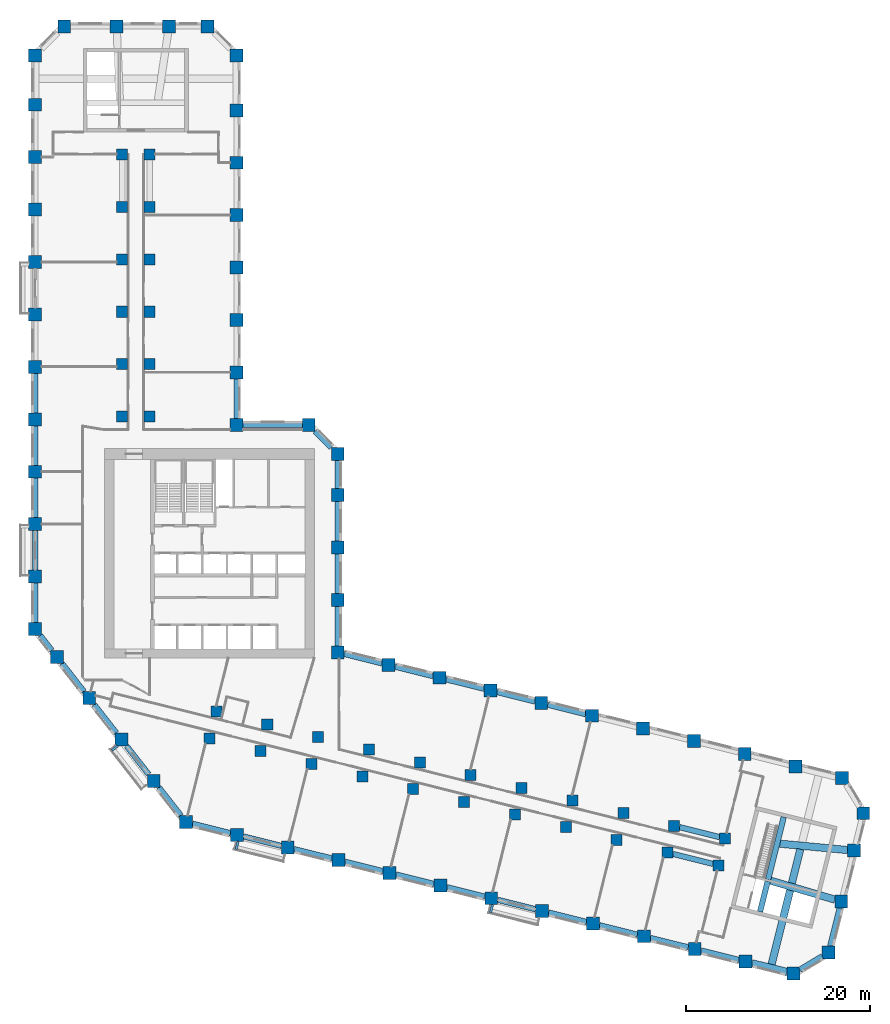
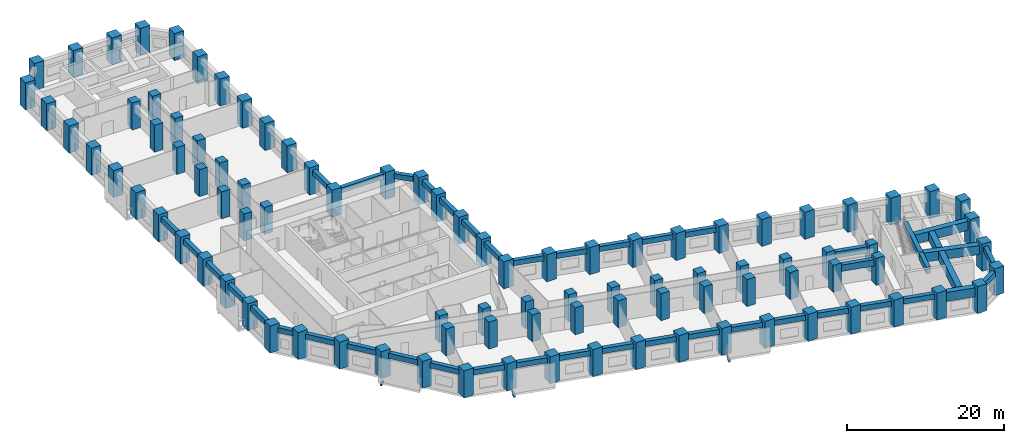
# One storey, part 1 of 12: 95 columns, 47 beams.
"""IFC4 building model written with IfcOpenShell, lengths in metres."""

from ifc_helpers import new_model, si_unit, direction, frame, origin, origin_2d, place, context, subcontext, project, spatial, rectangle, extrude, material, material_profile, profile_set, type_object, element, save


model = new_model("IFC4")

# Units and contexts
model_context = context("Model", 3, precision=1e-05, world=origin(), true_north=direction((0.0, 1.0)))
body_context = subcontext(model_context, "Body", "Model", "MODEL_VIEW")
ifc_project = project(units=[si_unit("LENGTHUNIT", "METRE"), si_unit("AREAUNIT", "SQUARE_METRE"), si_unit("VOLUMEUNIT", "CUBIC_METRE"), si_unit("PLANEANGLEUNIT", "RADIAN"), si_unit("MASSUNIT", "GRAM", prefix="KILO")], contexts=[model_context])

# Site, building, storey
site_placement = place(None, origin())
site = spatial("IfcSite", under=ifc_project, at=site_placement, CompositionType="ELEMENT")
building_placement = place(site_placement, origin())
building = spatial("IfcBuilding", under=site, at=building_placement, Name="Meshkara Civic Tower", CompositionType="ELEMENT")
storey_placement = place(building_placement, frame((0.0, 0.0, 87.60009765625)))
storey = spatial("IfcBuildingStorey", under=building, at=storey_placement, Name="L19", CompositionType="ELEMENT", Elevation=87.60009765625)

# Columns
ifc_material_1 = material(Name="Concrete C80", Category="concrete")
ifc_material_profile_1 = material_profile(ifc_material_1, rectangle(XDim=1.199951171875, YDim=1.199951171875, at=origin_2d()))
ifc_profile_set_1 = profile_set([ifc_material_profile_1], Name="Concrete C80")
column_type_1 = type_object("IfcColumnType", Name="Interior column RC 1200x1200 C80", PredefinedType="COLUMN", material=ifc_profile_set_1)
for number, where, z_axis, x_axis, name in (
    (1, (9.89990234375, 40.35009765625, 0.0), (0.0, 0.0, 1.0), (1.0, 0.0, 0.0), "Column SA1-04 L19"),
    (2, (9.89990234375, 46.050048828125, 0.0), (0.0, 0.0, 1.0), (1.0, 0.0, 0.0), "Column SA1-05 L19"),
    (3, (9.89990234375, 51.75, 0.0), (0.0, 0.0, 1.0), (1.0, 0.0, 0.0), "Column SA1-06 L19"),
    (4, (9.89990234375, 57.449951171875, 0.0), (0.0, 0.0, 1.0), (1.0, 0.0, 0.0), "Column SA1-07 L19"),
    (5, (9.89990234375, 63.14990234375, 0.0), (0.0, 0.0, 1.0), (1.0, 0.0, 0.0), "Column SA1-08 L19"),
    (6, (9.89990234375, 68.85009765625, 0.0), (0.0, 0.0, 1.0), (1.0, 0.0, 0.0), "Column SA1-09 L19"),
    (7, (12.89990234375, 40.35009765625, 0.0), (0.0, 0.0, 1.0), (1.0, 0.0, 0.0), "Column SA2-04 L19"),
    (8, (12.89990234375, 46.050048828125, 0.0), (0.0, 0.0, 1.0), (1.0, 0.0, 0.0), "Column SA2-05 L19"),
    (9, (12.89990234375, 51.75, 0.0), (0.0, 0.0, 1.0), (1.0, 0.0, 0.0), "Column SA2-06 L19"),
    (10, (12.89990234375, 57.449951171875, 0.0), (0.0, 0.0, 1.0), (1.0, 0.0, 0.0), "Column SA2-07 L19"),
    (11, (12.89990234375, 63.14990234375, 0.0), (0.0, 0.0, 1.0), (1.0, 0.0, 0.0), "Column SA2-08 L19"),
    (12, (12.89990234375, 68.85009765625, 0.0), (0.0, 0.0, 1.0), (1.0, 0.0, 0.0), "Column SA2-09 L19"),
    (13, (19.424072265625, 5.360107421875, 0.0), (0.0, 0.0, 1.0), (1.0, 0.0, 0.0), "Column SB1-00 L19"),
    (14, (24.9541015625, 3.98095703125, 0.0), (0.0, 0.0, 1.0), (1.0, 0.0, 0.0), "Column SB1-01 L19"),
    (15, (30.485107421875, 2.60205078125, 0.0), (0.0, 0.0, 1.0), (1.0, 0.0, 0.0), "Column SB1-02 L19"),
    (16, (36.01611328125, 1.222900390625, 0.0), (0.0, 0.0, 1.0), (1.0, 0.0, 0.0), "Column SB1-03 L19"),
    (17, (41.5458984375, -0.156005859375, 0.0), (0.0, 0.0, 1.0), (1.0, 0.0, 0.0), "Column SB1-04 L19"),
    (18, (47.076904296875, -1.534912109375, 0.0), (0.0, 0.0, 1.0), (1.0, 0.0, 0.0), "Column SB1-05 L19"),
    (19, (52.60791015625, -2.9140625, 0.0), (0.0, 0.0, 1.0), (1.0, 0.0, 0.0), "Column SB1-06 L19"),
    (20, (58.138916015625, -4.2919921875, 0.0), (0.0, 0.0, 1.0), (1.0, 0.0, 0.0), "Column SB1-07 L19"),
    (21, (63.6689453125, -5.6708984375, 0.0), (0.0, 0.0, 1.0), (1.0, 0.0, 0.0), "Column SB1-08 L19"),
    (22, (69.199951171875, -7.050048828125, 0.0), (0.0, 0.0, 1.0), (1.0, 0.0, 0.0), "Column SB1-09 L19"),
    (23, (74.73095703125, -8.428955078125, 0.0), (0.0, 0.0, 1.0), (1.0, 0.0, 0.0), "Column SB1-10 L19"),
    (24, (20.14892578125, 8.27099609375, 0.0), (0.0, 0.0, 1.0), (1.0, 0.0, 0.0), "Column SB2-00 L19"),
    (25, (25.679931640625, 6.89208984375, 0.0), (0.0, 0.0, 1.0), (1.0, 0.0, 0.0), "Column SB2-01 L19"),
    (26, (31.2109375, 5.512939453125, 0.0), (0.0, 0.0, 1.0), (1.0, 0.0, 0.0), "Column SB2-02 L19"),
    (27, (36.741943359375, 4.134033203125, 0.0), (0.0, 0.0, 1.0), (1.0, 0.0, 0.0), "Column SB2-03 L19"),
    (28, (42.27197265625, 2.7548828125, 0.0), (0.0, 0.0, 1.0), (1.0, 0.0, 0.0), "Column SB2-04 L19"),
    (29, (47.802978515625, 1.3759765625, 0.0), (0.0, 0.0, 1.0), (1.0, 0.0, 0.0), "Column SB2-05 L19"),
    (30, (53.333984375, -0.0029296875, 0.0), (0.0, 0.0, 1.0), (1.0, 0.0, 0.0), "Column SB2-06 L19"),
    (31, (58.864013671875, -1.382080078125, 0.0), (0.0, 0.0, 1.0), (1.0, 0.0, 0.0), "Column SB2-07 L19"),
    (32, (64.39501953125, -2.760986328125, 0.0), (0.0, 0.0, 1.0), (1.0, 0.0, 0.0), "Column SB2-08 L19"),
    (33, (69.926025390625, -4.139892578125, 0.0), (0.0, 0.0, 1.0), (1.0, 0.0, 0.0), "Column SB2-09 L19"),
    (34, (75.4560546875, -5.51806640625, 0.0), (0.0, 0.0, 1.0), (1.0, 0.0, 0.0), "Column SB2-10 L19"),
):
    element("IfcColumn", number, at=place(storey_placement, frame(where, z_axis=z_axis, x_axis=x_axis)), inside=storey, type_object=column_type_1, Name=name, PredefinedType="COLUMN", context=body_context, shape_type="SweptSolid", body=[
        extrude(rectangle(XDim=1.199951171875, YDim=1.199951171875, at=origin_2d()), origin(), (0.0, 0.0, 1.0), 4.199951171875),
    ])
ifc_material_2 = material(Name="Concrete C80", Category="concrete")
ifc_material_profile_2 = material_profile(ifc_material_2, rectangle(XDim=1.39990234375, YDim=1.39990234375, at=origin_2d()))
ifc_profile_set_2 = profile_set([ifc_material_profile_2], Name="Concrete C80")
column_type_2 = type_object("IfcColumnType", Name="Perimeter column RC 1400x1400 C80", PredefinedType="COLUMN", material=ifc_profile_set_2)
for number, where, z_axis, x_axis, name in (
    (35, (33.35009765625, 14.718994140625, 0.0), (0.0, 0.0, 1.0), (1.0, 0.0, 0.0), "Column HE00 L19"),
    (36, (33.35009765625, 20.4189453125, 0.0), (0.0, 0.0, 1.0), (1.0, 0.0, 0.0), "Column HE01 L19"),
    (37, (33.35009765625, 26.118896484375, 0.0), (0.0, 0.0, 1.0), (1.0, 0.0, 0.0), "Column HE02 L19"),
    (38, (33.35009765625, 31.819091796875, 0.0), (0.0, 0.0, 1.0), (1.0, 0.0, 0.0), "Column HE03 L19"),
    (39, (33.35009765625, 36.2939453125, 0.0), (0.0, 0.0, 1.0), (1.0, 0.0, 0.0), "Column HEE L19"),
    (40, (30.194091796875, 39.449951171875, 0.0), (0.0, 0.0, 1.0), (1.0, 0.0, 0.0), "Column HCeE L19"),
    (41, (22.35009765625, 39.449951171875, 0.0), (0.0, 0.0, 1.0), (1.0, 0.0, 0.0), "Column HN00 L19"),
    (42, (22.35009765625, 45.14990234375, 0.0), (0.0, 0.0, 1.0), (1.0, 0.0, 0.0), "Column AE01 L19"),
    (43, (22.35009765625, 50.85009765625, 0.0), (0.0, 0.0, 1.0), (1.0, 0.0, 0.0), "Column AE02 L19"),
    (44, (22.35009765625, 56.550048828125, 0.0), (0.0, 0.0, 1.0), (1.0, 0.0, 0.0), "Column AE03 L19"),
    (45, (22.35009765625, 62.25, 0.0), (0.0, 0.0, 1.0), (1.0, 0.0, 0.0), "Column AE04 L19"),
    (46, (22.35009765625, 67.949951171875, 0.0), (0.0, 0.0, 1.0), (1.0, 0.0, 0.0), "Column AE05 L19"),
    (47, (22.35009765625, 73.64990234375, 0.0), (0.0, 0.0, 1.0), (1.0, 0.0, 0.0), "Column AE06 L19"),
    (48, (22.35009765625, 79.614013671875, 0.0), (0.0, 0.0, 1.0), (1.0, 0.0, 0.0), "Column AEE L19"),
    (49, (19.194091796875, 82.77001953125, 0.0), (0.0, 0.0, 1.0), (1.0, 0.0, 0.0), "Column ATiE L19"),
    (50, (3.60595703125, 82.77001953125, 0.0), (0.0, 0.0, 1.0), (1.0, 0.0, 0.0), "Column AT00 L19"),
    (51, (9.305908203125, 82.77001953125, 0.0), (0.0, 0.0, 1.0), (1.0, 0.0, 0.0), "Column AT01 L19"),
    (52, (15.006103515625, 82.77001953125, 0.0), (0.0, 0.0, 1.0), (1.0, 0.0, 0.0), "Column AT02 L19"),
    (53, (0.449951171875, 79.614013671875, 0.0), (0.0, 0.0, 1.0), (1.0, 0.0, 0.0), "Column ATo00 L19"),
    (54, (0.449951171875, 17.2548828125, 0.0), (0.0, 0.0, 1.0), (1.0, 0.0, 0.0), "Column AW00 L19"),
    (55, (0.449951171875, 22.955078125, 0.0), (0.0, 0.0, 1.0), (1.0, 0.0, 0.0), "Column AW01 L19"),
    (56, (0.449951171875, 28.655029296875, 0.0), (0.0, 0.0, 1.0), (1.0, 0.0, 0.0), "Column AW02 L19"),
    (57, (0.449951171875, 34.35498046875, 0.0), (0.0, 0.0, 1.0), (1.0, 0.0, 0.0), "Column AW03 L19"),
    (58, (0.449951171875, 40.054931640625, 0.0), (0.0, 0.0, 1.0), (1.0, 0.0, 0.0), "Column AW04 L19"),
    (59, (0.449951171875, 45.7548828125, 0.0), (0.0, 0.0, 1.0), (1.0, 0.0, 0.0), "Column AW05 L19"),
    (60, (0.449951171875, 51.455078125, 0.0), (0.0, 0.0, 1.0), (1.0, 0.0, 0.0), "Column AW06 L19"),
    (61, (0.449951171875, 57.155029296875, 0.0), (0.0, 0.0, 1.0), (1.0, 0.0, 0.0), "Column AW07 L19"),
    (62, (0.449951171875, 62.85498046875, 0.0), (0.0, 0.0, 1.0), (1.0, 0.0, 0.0), "Column AW08 L19"),
    (63, (0.449951171875, 68.554931640625, 0.0), (0.0, 0.0, 1.0), (1.0, 0.0, 0.0), "Column AW09 L19"),
    (64, (0.449951171875, 74.2548828125, 0.0), (0.0, 0.0, 1.0), (1.0, 0.0, 0.0), "Column AW10 L19"),
    (65, (16.85107421875, -3.738037109375, 0.0), (0.0, 0.0, 1.0), (1.0, 0.0, 0.0), "Column BOW00 L19"),
    (66, (13.342041015625, 0.75390625, 0.0), (0.0, 0.0, 1.0), (1.0, 0.0, 0.0), "Column BOW01 L19"),
    (67, (9.8330078125, 5.2451171875, 0.0), (0.0, 0.0, 1.0), (1.0, 0.0, 0.0), "Column BOW02 L19"),
    (68, (6.322998046875, 9.737060546875, 0.0), (0.0, 0.0, 1.0), (1.0, 0.0, 0.0), "Column BOW03 L19"),
    (69, (2.81396484375, 14.22900390625, 0.0), (0.0, 0.0, 1.0), (1.0, 0.0, 0.0), "Column BOW04 L19"),
    (70, (22.382080078125, -5.116943359375, 0.0), (0.0, 0.0, 1.0), (1.0, 0.0, 0.0), "Column BS01 L19"),
    (71, (27.912109375, -6.49609375, 0.0), (0.0, 0.0, 1.0), (1.0, 0.0, 0.0), "Column BS02 L19"),
    (72, (33.443115234375, -7.875, 0.0), (0.0, 0.0, 1.0), (1.0, 0.0, 0.0), "Column BS03 L19"),
    (73, (38.97412109375, -9.25390625, 0.0), (0.0, 0.0, 1.0), (1.0, 0.0, 0.0), "Column BS04 L19"),
    (74, (44.5048828125, -10.632080078125, 0.0), (0.0, 0.0, 1.0), (1.0, 0.0, 0.0), "Column BS05 L19"),
    (75, (50.034912109375, -12.010986328125, 0.0), (0.0, 0.0, 1.0), (1.0, 0.0, 0.0), "Column BS06 L19"),
    (76, (55.56591796875, -13.389892578125, 0.0), (0.0, 0.0, 1.0), (1.0, 0.0, 0.0), "Column BS07 L19"),
    (77, (61.096923828125, -14.76904296875, 0.0), (0.0, 0.0, 1.0), (1.0, 0.0, 0.0), "Column BS08 L19"),
    (78, (66.626953125, -16.14794921875, 0.0), (0.0, 0.0, 1.0), (1.0, 0.0, 0.0), "Column BS09 L19"),
    (79, (72.157958984375, -17.527099609375, 0.0), (0.0, 0.0, 1.0), (1.0, 0.0, 0.0), "Column BS10 L19"),
    (80, (77.68896484375, -18.906005859375, 0.0), (0.0, 0.0, 1.0), (1.0, 0.0, 0.0), "Column BS11 L19"),
    (81, (82.887939453125, -20.201904296875, 0.0), (0.0, 0.0, 1.0), (1.0, 0.0, 0.0), "Column BSE L19"),
    (82, (86.714111328125, -17.903076171875, 0.0), (0.0, 0.0, 1.0), (1.0, 0.0, 0.0), "Column BToE L19"),
    (83, (88.093017578125, -12.3720703125, 0.0), (0.0, 0.0, 1.0), (1.0, 0.0, 0.0), "Column BT01 L19"),
    (84, (89.471923828125, -6.842041015625, 0.0), (0.0, 0.0, 1.0), (1.0, 0.0, 0.0), "Column BT02 L19"),
    (85, (90.485107421875, -2.779052734375, 0.0), (0.0, 0.0, 1.0), (1.0, 0.0, 0.0), "Column BTE L19"),
    (86, (88.18603515625, 1.0458984375, 0.0), (0.0, 0.0, 1.0), (1.0, 0.0, 0.0), "Column BTi00 L19"),
    (87, (38.881103515625, 13.340087890625, 0.0), (0.0, 0.0, 1.0), (1.0, 0.0, 0.0), "Column BN01 L19"),
    (88, (44.410888671875, 11.9609375, 0.0), (0.0, 0.0, 1.0), (1.0, 0.0, 0.0), "Column BN02 L19"),
    (89, (49.94189453125, 10.58203125, 0.0), (0.0, 0.0, 1.0), (1.0, 0.0, 0.0), "Column BN03 L19"),
    (90, (55.472900390625, 9.202880859375, 0.0), (0.0, 0.0, 1.0), (1.0, 0.0, 0.0), "Column BN04 L19"),
    (91, (61.0029296875, 7.823974609375, 0.0), (0.0, 0.0, 1.0), (1.0, 0.0, 0.0), "Column BN05 L19"),
    (92, (66.533935546875, 6.445068359375, 0.0), (0.0, 0.0, 1.0), (1.0, 0.0, 0.0), "Column BN06 L19"),
    (93, (72.06494140625, 5.06591796875, 0.0), (0.0, 0.0, 1.0), (1.0, 0.0, 0.0), "Column BN07 L19"),
    (94, (77.594970703125, 3.68701171875, 0.0), (0.0, 0.0, 1.0), (1.0, 0.0, 0.0), "Column BN08 L19"),
    (95, (83.1259765625, 2.30810546875, 0.0), (0.0, 0.0, 1.0), (1.0, 0.0, 0.0), "Column BN09 L19"),
):
    element("IfcColumn", number, at=place(storey_placement, frame(where, z_axis=z_axis, x_axis=x_axis)), inside=storey, type_object=column_type_2, Name=name, PredefinedType="COLUMN", context=body_context, shape_type="SweptSolid", body=[
        extrude(rectangle(XDim=1.39990234375, YDim=1.39990234375, at=origin_2d()), origin(), (0.0, 0.0, 1.0), 4.199951171875),
    ])

# Beams
ifc_material_3 = material(Name="Concrete C50", Category="concrete")
ifc_material_profile_3 = material_profile(ifc_material_3, rectangle(XDim=0.25, YDim=0.39990234375, at=origin_2d()))
ifc_profile_set_3 = profile_set([ifc_material_profile_3], Name="Concrete C50")
beam_type_1 = type_object("IfcBeamType", Name="Balcony bracket beam RC 250x400 C50", PredefinedType="BEAM", material=ifc_profile_set_3)
beam_1_placement = place(storey_placement, frame((9.427978515625, 4.548095703125, -0.5), z_axis=(-0.787825958224, -0.615897929488, 0.0), x_axis=(0.615897929488, -0.787825958224, 0.0)))
element("IfcBeam", 96, at=beam_1_placement, inside=storey, type_object=beam_type_1, Name="Balcony bracket beam", PredefinedType="BEAM", context=body_context, shape_type="SweptSolid", body=[
    extrude(rectangle(XDim=0.25, YDim=0.39990234375, at=origin_2d()), origin(), (0.0, 0.0, 1.0), 0.80224609375),
])
beam_2_placement = place(storey_placement, frame((22.51806640625, -5.81201171875, -0.5), z_axis=(-0.24221933698, -0.970221517383, 0.0), x_axis=(0.970221517383, -0.24221933698, 0.0)))
element("IfcBeam", 97, at=beam_2_placement, inside=storey, type_object=beam_type_1, Name="Balcony bracket beam", PredefinedType="BEAM", context=body_context, shape_type="SweptSolid", body=[
    extrude(rectangle(XDim=0.25, YDim=0.39990234375, at=origin_2d()), origin(), (0.0, 0.0, 1.0), 0.908203125),
])
beam_3_placement = place(storey_placement, frame((50.1708984375, -12.7060546875, -0.5), z_axis=(-0.242029947494, -0.970268779522, 0.0), x_axis=(0.970268779522, -0.242029947494, 0.0)))
element("IfcBeam", 98, at=beam_3_placement, inside=storey, type_object=beam_type_1, Name="Balcony bracket beam", PredefinedType="BEAM", context=body_context, shape_type="SweptSolid", body=[
    extrude(rectangle(XDim=0.25, YDim=0.39990234375, at=origin_2d()), origin(), (0.0, 0.0, 1.0), 0.908935546875),
])
ifc_material_4 = material(Name="Concrete C80", Category="concrete")
ifc_material_profile_4 = material_profile(ifc_material_4, rectangle(XDim=0.60009765625, YDim=1.0, at=origin_2d()))
ifc_profile_set_4 = profile_set([ifc_material_profile_4], Name="Concrete C80")
beam_type_2 = type_object("IfcBeamType", Name="Core transfer beam RC 600x1000 C80", PredefinedType="BEAM", material=ifc_profile_set_4)
beam_4_placement = place(storey_placement, frame((69.781982421875, -7.195068359375, 3.25), z_axis=(0.970292287993, -0.241935685383, 0.0), x_axis=(0.241935685383, 0.970292287993, 0.0)))
element("IfcBeam", 99, at=beam_4_placement, inside=storey, type_object=beam_type_2, Name="Transfer beam B L20 core-side wall", PredefinedType="BEAM", context=body_context, shape_type="SweptSolid", body=[
    extrude(rectangle(XDim=0.60009765625, YDim=1.0, at=origin_2d()), origin(), (0.0, 0.0, 1.0), 4.500732421875),
])
beam_5_placement = place(storey_placement, frame((70.508056640625, -4.284912109375, 3.25), z_axis=(0.970317790595, -0.241833383251, 0.0), x_axis=(0.241833383251, 0.970317790595, 0.0)))
element("IfcBeam", 100, at=beam_5_placement, inside=storey, type_object=beam_type_2, Name="Transfer beam B L20 core-side wall", PredefinedType="BEAM", context=body_context, shape_type="SweptSolid", body=[
    extrude(rectangle(XDim=0.60009765625, YDim=1.0, at=origin_2d()), origin(), (0.0, 0.0, 1.0), 4.49951171875),
])
beam_6_placement = place(storey_placement, frame((79.263916015625, -13.47607421875, 3.25), z_axis=(0.242045648808, 0.970264862753, 0.0), x_axis=(-0.970264862753, 0.242045648808, 0.0)))
element("IfcBeam", 101, at=beam_6_placement, inside=storey, type_object=beam_type_2, Name="Transfer beam B L20 tip-side wall", PredefinedType="BEAM", context=body_context, shape_type="SweptSolid", body=[
    extrude(rectangle(XDim=0.60009765625, YDim=1.0, at=origin_2d()), origin(), (0.0, 0.0, 1.0), 3.400146484375),
])
beam_7_placement = place(storey_placement, frame((80.135009765625, -9.98291015625, 3.25), z_axis=(0.242010385333, 0.970273659022, 0.0), x_axis=(-0.970273659022, 0.242010385333, 0.0)))
element("IfcBeam", 102, at=beam_7_placement, inside=storey, type_object=beam_type_2, Name="Transfer beam B L20 tip-side wall", PredefinedType="BEAM", context=body_context, shape_type="SweptSolid", body=[
    extrude(rectangle(XDim=0.60009765625, YDim=1.0, at=origin_2d()), origin(), (0.0, 0.0, 1.0), 7.0),
])
ifc_material_5 = material(Name="Concrete C70", Category="concrete")
ifc_material_profile_5 = material_profile(ifc_material_5, rectangle(XDim=0.60009765625, YDim=0.800048828125, at=origin_2d()))
ifc_profile_set_5 = profile_set([ifc_material_profile_5], Name="Concrete C70")
beam_type_3 = type_object("IfcBeamType", Name="Spandrel beam RC 600x800 C70", PredefinedType="BEAM", material=ifc_profile_set_5)
beam_8_placement = place(storey_placement, frame((60.307861328125, 7.997314453125, 3.349853515625), z_axis=(-0.970276993533, 0.241997016139, 0.0), x_axis=(-0.241997016139, -0.970276993533, 0.0)))
element("IfcBeam", 103, at=beam_8_placement, inside=storey, type_object=beam_type_3, Name="Spandrel beam BN04-BN05", PredefinedType="BEAM", context=body_context, shape_type="SweptSolid", body=[
    extrude(rectangle(XDim=0.60009765625, YDim=0.800048828125, at=origin_2d()), origin(), (0.0, 0.0, 1.0), 4.266357421875),
])
for number, where, z_axis, x_axis, name in (
    (104, (54.77783203125, 9.376220703125, 3.349853515625), (-0.970290393622, 0.241943282702, 0.0), (-0.241943282702, -0.970290393622, 0.0), "Spandrel beam BN03-BN04"),
    (105, (49.246826171875, 10.75537109375, 3.349853515625), (-0.970303822782, 0.241889419972, 0.0), (-0.241889419972, -0.970303822782, 0.0), "Spandrel beam BN02-BN03"),
):
    element("IfcBeam", number, at=place(storey_placement, frame(where, z_axis=z_axis, x_axis=x_axis)), inside=storey, type_object=beam_type_3, Name=name, PredefinedType="BEAM", context=body_context, shape_type="SweptSolid", body=[
        extrude(rectangle(XDim=0.60009765625, YDim=0.800048828125, at=origin_2d()), origin(), (0.0, 0.0, 1.0), 4.267333984375),
    ])
beam_9_placement = place(storey_placement, frame((43.7158203125, 12.13427734375, 3.349853515625), z_axis=(-0.970276993533, 0.241997016139, 0.0), x_axis=(-0.241997016139, -0.970276993533, 0.0)))
element("IfcBeam", 106, at=beam_9_placement, inside=storey, type_object=beam_type_3, Name="Spandrel beam BN01-BN02", PredefinedType="BEAM", context=body_context, shape_type="SweptSolid", body=[
    extrude(rectangle(XDim=0.60009765625, YDim=0.800048828125, at=origin_2d()), origin(), (0.0, 0.0, 1.0), 4.266357421875),
])
beam_10_placement = place(storey_placement, frame((38.185791015625, 13.51318359375, 3.349853515625), z_axis=(-0.970290393622, 0.241943282702, 0.0), x_axis=(-0.241943282702, -0.970290393622, 0.0)))
element("IfcBeam", 107, at=beam_10_placement, inside=storey, type_object=beam_type_3, Name="Spandrel beam BN01-HE00", PredefinedType="BEAM", context=body_context, shape_type="SweptSolid", body=[
    extrude(rectangle(XDim=0.60009765625, YDim=0.800048828125, at=origin_2d()), origin(), (0.0, 0.0, 1.0), 4.267333984375),
])
for number, where, z_axis, x_axis, name in (
    (108, (33.35009765625, 15.4140625, 3.349853515625), (0.0, 1.0, 0.0), (-1.0, 0.0, 0.0), "Spandrel beam HE00-HE01"),
    (109, (33.35009765625, 21.114013671875, 3.349853515625), (0.0, 1.0, 0.0), (-1.0, 0.0, 0.0), "Spandrel beam HE01-HE02"),
    (110, (33.35009765625, 26.81396484375, 3.349853515625), (0.0, 1.0, 0.0), (-1.0, 0.0, 0.0), "Spandrel beam HE02-HE03"),
):
    element("IfcBeam", number, at=place(storey_placement, frame(where, z_axis=z_axis, x_axis=x_axis)), inside=storey, type_object=beam_type_3, Name=name, PredefinedType="BEAM", context=body_context, shape_type="SweptSolid", body=[
        extrude(rectangle(XDim=0.60009765625, YDim=0.800048828125, at=origin_2d()), origin(), (0.0, 0.0, 1.0), 4.31005859375),
    ])
beam_11_placement = place(storey_placement, frame((33.35009765625, 32.513916015625, 3.349853515625), z_axis=(0.0, 1.0, 0.0), x_axis=(-1.0, 0.0, 0.0)))
element("IfcBeam", 111, at=beam_11_placement, inside=storey, type_object=beam_type_3, Name="Spandrel beam HE03-HEE", PredefinedType="BEAM", context=body_context, shape_type="SweptSolid", body=[
    extrude(rectangle(XDim=0.60009765625, YDim=0.800048828125, at=origin_2d()), origin(), (0.0, 0.0, 1.0), 3.085205078125),
])
beam_12_placement = place(storey_placement, frame((32.653564453125, 36.990478515625, 3.349853515625), z_axis=(-0.707155737934, 0.70705782105, 0.0), x_axis=(-0.70705782105, -0.707155737934, 0.0)))
element("IfcBeam", 112, at=beam_12_placement, inside=storey, type_object=beam_type_3, Name="Spandrel beam HCeE-HEE", PredefinedType="BEAM", context=body_context, shape_type="SweptSolid", body=[
    extrude(rectangle(XDim=0.60009765625, YDim=0.800048828125, at=origin_2d()), origin(), (0.0, 0.0, 1.0), 2.493408203125),
])
beam_13_placement = place(storey_placement, frame((29.4990234375, 39.449951171875, 3.349853515625), z_axis=(-1.0, 0.0, 0.0), x_axis=(0.0, -1.0, 0.0)))
element("IfcBeam", 113, at=beam_13_placement, inside=storey, type_object=beam_type_3, Name="Spandrel beam HCeE-HN00", PredefinedType="BEAM", context=body_context, shape_type="SweptSolid", body=[
    extrude(rectangle(XDim=0.60009765625, YDim=0.800048828125, at=origin_2d()), origin(), (0.0, 0.0, 1.0), 6.4541015625),
])
for number, where, z_axis, x_axis, name in (
    (114, (22.35009765625, 40.14501953125, 3.349853515625), (0.0, 1.0, 0.0), (-1.0, 0.0, 0.0), "Spandrel beam AE01-HN00"),
    (115, (0.449951171875, 45.06005859375, 3.349853515625), (0.0, -1.0, 0.0), (1.0, 0.0, 0.0), "Spandrel beam AW04-AW05"),
    (116, (0.449951171875, 39.360107421875, 3.349853515625), (0.0, -1.0, 0.0), (1.0, 0.0, 0.0), "Spandrel beam AW03-AW04"),
):
    element("IfcBeam", number, at=place(storey_placement, frame(where, z_axis=z_axis, x_axis=x_axis)), inside=storey, type_object=beam_type_3, Name=name, PredefinedType="BEAM", context=body_context, shape_type="SweptSolid", body=[
        extrude(rectangle(XDim=0.60009765625, YDim=0.800048828125, at=origin_2d()), origin(), (0.0, 0.0, 1.0), 4.31005859375),
    ])
beam_14_placement = place(storey_placement, frame((0.449951171875, 33.659912109375, 3.349853515625), z_axis=(0.0, -1.0, 0.0), x_axis=(1.0, 0.0, 0.0)))
element("IfcBeam", 117, at=beam_14_placement, inside=storey, type_object=beam_type_3, Name="Spandrel beam AW02-AW03", PredefinedType="BEAM", context=body_context, shape_type="SweptSolid", body=[
    extrude(rectangle(XDim=0.60009765625, YDim=0.800048828125, at=origin_2d()), origin(), (0.0, 0.0, 1.0), 4.309814453125),
])
for number, where, z_axis, x_axis, name in (
    (118, (0.449951171875, 27.9599609375, 3.349853515625), (0.0, -1.0, 0.0), (1.0, 0.0, 0.0), "Spandrel beam AW01-AW02"),
    (119, (0.449951171875, 22.260009765625, 3.349853515625), (0.0, -1.0, 0.0), (1.0, 0.0, 0.0), "Spandrel beam AW00-AW01"),
):
    element("IfcBeam", number, at=place(storey_placement, frame(where, z_axis=z_axis, x_axis=x_axis)), inside=storey, type_object=beam_type_3, Name=name, PredefinedType="BEAM", context=body_context, shape_type="SweptSolid", body=[
        extrude(rectangle(XDim=0.60009765625, YDim=0.800048828125, at=origin_2d()), origin(), (0.0, 0.0, 1.0), 4.31005859375),
    ])
beam_15_placement = place(storey_placement, frame((0.993896484375, 16.558837890625, 3.349853515625), z_axis=(0.615634901283, -0.788031514803, 0.0), x_axis=(0.788031514803, 0.615634901283, 0.0)))
element("IfcBeam", 120, at=beam_15_placement, inside=storey, type_object=beam_type_3, Name="Spandrel beam AW00-BOW04", PredefinedType="BEAM", context=body_context, shape_type="SweptSolid", body=[
    extrude(rectangle(XDim=0.60009765625, YDim=0.800048828125, at=origin_2d()), origin(), (0.0, 0.0, 1.0), 2.0732421875),
])
beam_16_placement = place(storey_placement, frame((3.357666015625, 13.532958984375, 3.349853515625), z_axis=(0.615623566685, -0.788040369614, 0.0), x_axis=(0.788040369614, 0.615623566685, 0.0)))
element("IfcBeam", 121, at=beam_16_placement, inside=storey, type_object=beam_type_3, Name="Spandrel beam BOW03-BOW04", PredefinedType="BEAM", context=body_context, shape_type="SweptSolid", body=[
    extrude(rectangle(XDim=0.60009765625, YDim=0.800048828125, at=origin_2d()), origin(), (0.0, 0.0, 1.0), 3.93359375),
])
beam_17_placement = place(storey_placement, frame((6.866943359375, 9.041015625, 3.349853515625), z_axis=(0.61570064363, -0.787980150406, 0.0), x_axis=(0.787980150406, 0.61570064363, 0.0)))
element("IfcBeam", 122, at=beam_17_placement, inside=storey, type_object=beam_type_3, Name="Spandrel beam BOW02-BOW03", PredefinedType="BEAM", context=body_context, shape_type="SweptSolid", body=[
    extrude(rectangle(XDim=0.60009765625, YDim=0.800048828125, at=origin_2d()), origin(), (0.0, 0.0, 1.0), 3.933837890625),
])
beam_18_placement = place(storey_placement, frame((10.376953125, 4.548828125, 3.349853515625), z_axis=(0.615697051917, -0.787982956834, 0.0), x_axis=(0.787982956834, 0.615697051917, 0.0)))
element("IfcBeam", 123, at=beam_18_placement, inside=storey, type_object=beam_type_3, Name="Spandrel beam BOW01-BOW02", PredefinedType="BEAM", context=body_context, shape_type="SweptSolid", body=[
    extrude(rectangle(XDim=0.60009765625, YDim=0.800048828125, at=origin_2d()), origin(), (0.0, 0.0, 1.0), 3.932373046875),
])
beam_19_placement = place(storey_placement, frame((13.8857421875, 0.057861328125, 3.349853515625), z_axis=(0.615623566685, -0.788040369614, 0.0), x_axis=(0.788040369614, 0.615623566685, 0.0)))
element("IfcBeam", 124, at=beam_19_placement, inside=storey, type_object=beam_type_3, Name="Spandrel beam BOW00-BOW01", PredefinedType="BEAM", context=body_context, shape_type="SweptSolid", body=[
    extrude(rectangle(XDim=0.60009765625, YDim=0.800048828125, at=origin_2d()), origin(), (0.0, 0.0, 1.0), 3.93359375),
])
beam_20_placement = place(storey_placement, frame((17.546142578125, -3.911376953125, 3.349853515625), z_axis=(0.970307169965, -0.241875992843, 0.0), x_axis=(0.241875992843, 0.970307169965, 0.0)))
element("IfcBeam", 125, at=beam_20_placement, inside=storey, type_object=beam_type_3, Name="Spandrel beam BOW00-BS01", PredefinedType="BEAM", context=body_context, shape_type="SweptSolid", body=[
    extrude(rectangle(XDim=0.60009765625, YDim=0.800048828125, at=origin_2d()), origin(), (0.0, 0.0, 1.0), 4.267578125),
])
beam_21_placement = place(storey_placement, frame((23.0771484375, -5.290283203125, 3.349853515625), z_axis=(0.970276993533, -0.241997016139, 0.0), x_axis=(0.241997016139, 0.970276993533, 0.0)))
element("IfcBeam", 126, at=beam_21_placement, inside=storey, type_object=beam_type_3, Name="Spandrel beam BS01-BS02", PredefinedType="BEAM", context=body_context, shape_type="SweptSolid", body=[
    extrude(rectangle(XDim=0.60009765625, YDim=0.800048828125, at=origin_2d()), origin(), (0.0, 0.0, 1.0), 4.266357421875),
])
for number, where, z_axis, x_axis, name in (
    (127, (28.607177734375, -6.669189453125, 3.349853515625), (0.970290393622, -0.241943282702, 0.0), (0.241943282702, 0.970290393622, 0.0), "Spandrel beam BS02-BS03"),
    (128, (34.13818359375, -8.04833984375, 3.349853515625), (0.970290393622, -0.241943282702, 0.0), (0.241943282702, 0.970290393622, 0.0), "Spandrel beam BS03-BS04"),
):
    element("IfcBeam", number, at=place(storey_placement, frame(where, z_axis=z_axis, x_axis=x_axis)), inside=storey, type_object=beam_type_3, Name=name, PredefinedType="BEAM", context=body_context, shape_type="SweptSolid", body=[
        extrude(rectangle(XDim=0.60009765625, YDim=0.800048828125, at=origin_2d()), origin(), (0.0, 0.0, 1.0), 4.267333984375),
    ])
beam_22_placement = place(storey_placement, frame((39.669189453125, -9.42724609375, 3.349853515625), z_axis=(0.97034409455, -0.241727818365, 0.0), x_axis=(0.241727818365, 0.97034409455, 0.0)))
element("IfcBeam", 129, at=beam_22_placement, inside=storey, type_object=beam_type_3, Name="Spandrel beam BS04-BS05", PredefinedType="BEAM", context=body_context, shape_type="SweptSolid", body=[
    extrude(rectangle(XDim=0.60009765625, YDim=0.800048828125, at=origin_2d()), origin(), (0.0, 0.0, 1.0), 4.26708984375),
])
beam_23_placement = place(storey_placement, frame((45.2001953125, -10.805419921875, 3.349853515625), z_axis=(0.970290428474, -0.241943142934, 0.0), x_axis=(0.241943142934, 0.970290428474, 0.0)))
element("IfcBeam", 130, at=beam_23_placement, inside=storey, type_object=beam_type_3, Name="Spandrel beam BS05-BS06", PredefinedType="BEAM", context=body_context, shape_type="SweptSolid", body=[
    extrude(rectangle(XDim=0.60009765625, YDim=0.800048828125, at=origin_2d()), origin(), (0.0, 0.0, 1.0), 4.266357421875),
])
for number, where, z_axis, x_axis, name in (
    (131, (50.72998046875, -12.184326171875, 3.349853515625), (0.97029374225, -0.241929852955, 0.0), (0.241929852955, 0.97029374225, 0.0), "Spandrel beam BS06-BS07"),
    (132, (56.260986328125, -13.563232421875, 3.349853515625), (0.97029374225, -0.241929852955, 0.0), (0.241929852955, 0.97029374225, 0.0), "Spandrel beam BS07-BS08"),
):
    element("IfcBeam", number, at=place(storey_placement, frame(where, z_axis=z_axis, x_axis=x_axis)), inside=storey, type_object=beam_type_3, Name=name, PredefinedType="BEAM", context=body_context, shape_type="SweptSolid", body=[
        extrude(rectangle(XDim=0.60009765625, YDim=0.800048828125, at=origin_2d()), origin(), (0.0, 0.0, 1.0), 4.267578125),
    ])
beam_24_placement = place(storey_placement, frame((61.7919921875, -14.9423828125, 3.349853515625), z_axis=(0.970293777887, -0.241929710026, 0.0), x_axis=(0.241929710026, 0.970293777887, 0.0)))
element("IfcBeam", 133, at=beam_24_placement, inside=storey, type_object=beam_type_3, Name="Spandrel beam BS08-BS09", PredefinedType="BEAM", context=body_context, shape_type="SweptSolid", body=[
    extrude(rectangle(XDim=0.60009765625, YDim=0.800048828125, at=origin_2d()), origin(), (0.0, 0.0, 1.0), 4.2666015625),
])
for number, where, z_axis, x_axis, name in (
    (134, (67.322021484375, -16.3212890625, 3.349853515625), (0.97029374225, -0.241929852955, 0.0), (0.241929852955, 0.97029374225, 0.0), "Spandrel beam BS09-BS10"),
    (135, (72.85302734375, -17.7001953125, 3.349853515625), (0.97029374225, -0.241929852955, 0.0), (0.241929852955, 0.97029374225, 0.0), "Spandrel beam BS10-BS11"),
):
    element("IfcBeam", number, at=place(storey_placement, frame(where, z_axis=z_axis, x_axis=x_axis)), inside=storey, type_object=beam_type_3, Name=name, PredefinedType="BEAM", context=body_context, shape_type="SweptSolid", body=[
        extrude(rectangle(XDim=0.60009765625, YDim=0.800048828125, at=origin_2d()), origin(), (0.0, 0.0, 1.0), 4.267578125),
    ])
beam_25_placement = place(storey_placement, frame((83.583740234375, -19.783935546875, 3.349853515625), z_axis=(0.857159031547, 0.515051836846, 0.0), x_axis=(-0.515051836846, 0.857159031547, 0.0)))
element("IfcBeam", 136, at=beam_25_placement, inside=storey, type_object=beam_type_3, Name="Spandrel beam BSE-BToE", PredefinedType="BEAM", context=body_context, shape_type="SweptSolid", body=[
    extrude(rectangle(XDim=0.60009765625, YDim=0.800048828125, at=origin_2d()), origin(), (0.0, 0.0, 1.0), 2.84033203125),
])
beam_26_placement = place(storey_placement, frame((86.88720703125, -17.2080078125, 3.349853515625), z_axis=(0.241929852955, 0.97029374225, 0.0), x_axis=(-0.97029374225, 0.241929852955, 0.0)))
element("IfcBeam", 137, at=beam_26_placement, inside=storey, type_object=beam_type_3, Name="Spandrel beam BT01-BToE", PredefinedType="BEAM", context=body_context, shape_type="SweptSolid", body=[
    extrude(rectangle(XDim=0.60009765625, YDim=0.800048828125, at=origin_2d()), origin(), (0.0, 0.0, 1.0), 4.267578125),
])
ifc_material_6 = material(Name="Concrete C70", Category="concrete")
ifc_material_profile_6 = material_profile(ifc_material_6, rectangle(XDim=0.800048828125, YDim=1.39990234375, at=origin_2d()))
ifc_profile_set_6 = profile_set([ifc_material_profile_6], Name="Concrete C70")
beam_type_4 = type_object("IfcBeamType", Name="Transfer girder RC 800x1400 C70", PredefinedType="BEAM", material=ifc_profile_set_6)
beam_27_placement = place(storey_placement, frame((78.384033203125, -19.079345703125, 3.0498046875), z_axis=(0.970306910921, -0.241877032022, 0.0), x_axis=(0.241877032022, 0.970306910921, 0.0)))
element("IfcBeam", 138, at=beam_27_placement, inside=storey, type_object=beam_type_4, Name="Transfer girder BS11-BSE", PredefinedType="BEAM", context=body_context, shape_type="SweptSolid", body=[
    extrude(rectangle(XDim=0.800048828125, YDim=1.39990234375, at=origin_2d()), origin(), (0.0, 0.0, 1.0), 3.92529296875),
])
beam_28_placement = place(storey_placement, frame((80.414306640625, -10.106201171875, 3.0498046875), z_axis=(0.959110427415, -0.283032132492, 0.0), x_axis=(0.283032132492, 0.959110427415, 0.0)))
element("IfcBeam", 139, at=beam_28_placement, inside=storey, type_object=beam_type_4, Name="Transfer girder BT01-SB1-10", PredefinedType="BEAM", context=body_context, shape_type="SweptSolid", body=[
    extrude(rectangle(XDim=0.800048828125, YDim=1.39990234375, at=origin_2d()), origin(), (0.0, 0.0, 1.0), 7.281005859375),
])
beam_29_placement = place(storey_placement, frame((81.417724609375, -6.081298828125, 3.0498046875), z_axis=(0.995569533037, -0.094028213262, 0.0), x_axis=(0.094028213262, 0.995569533037, 0.0)))
element("IfcBeam", 140, at=beam_29_placement, inside=storey, type_object=beam_type_4, Name="Transfer girder BT02-SB2-10", PredefinedType="BEAM", context=body_context, shape_type="SweptSolid", body=[
    extrude(rectangle(XDim=0.800048828125, YDim=1.39990234375, at=origin_2d()), origin(), (0.0, 0.0, 1.0), 7.39208984375),
])
beam_30_placement = place(storey_placement, frame((80.516357421875, -19.198486328125, 3.0498046875), z_axis=(0.241919564434, 0.970296307498, 0.0), x_axis=(-0.970296307498, 0.241919564434, 0.0)))
element("IfcBeam", 141, at=beam_30_placement, inside=storey, type_object=beam_type_4, Name="Transfer girder tip B L20", PredefinedType="BEAM", context=body_context, shape_type="SweptSolid", body=[
    extrude(rectangle(XDim=0.800048828125, YDim=1.39990234375, at=origin_2d()), origin(), (0.0, 0.0, 1.0), 8.299560546875),
])
beam_31_placement = place(storey_placement, frame((82.7177734375, -10.369140625, 3.0498046875), z_axis=(0.241899622555, 0.970301279298, 0.0), x_axis=(-0.970301279298, 0.241899622555, 0.0)))
element("IfcBeam", 142, at=beam_31_placement, inside=storey, type_object=beam_type_4, Name="Transfer girder tip B L20", PredefinedType="BEAM", context=body_context, shape_type="SweptSolid", body=[
    extrude(rectangle(XDim=0.800048828125, YDim=1.39990234375, at=origin_2d()), origin(), (0.0, 0.0, 1.0), 3.7939453125),
])

save(model, "model.ifc")
